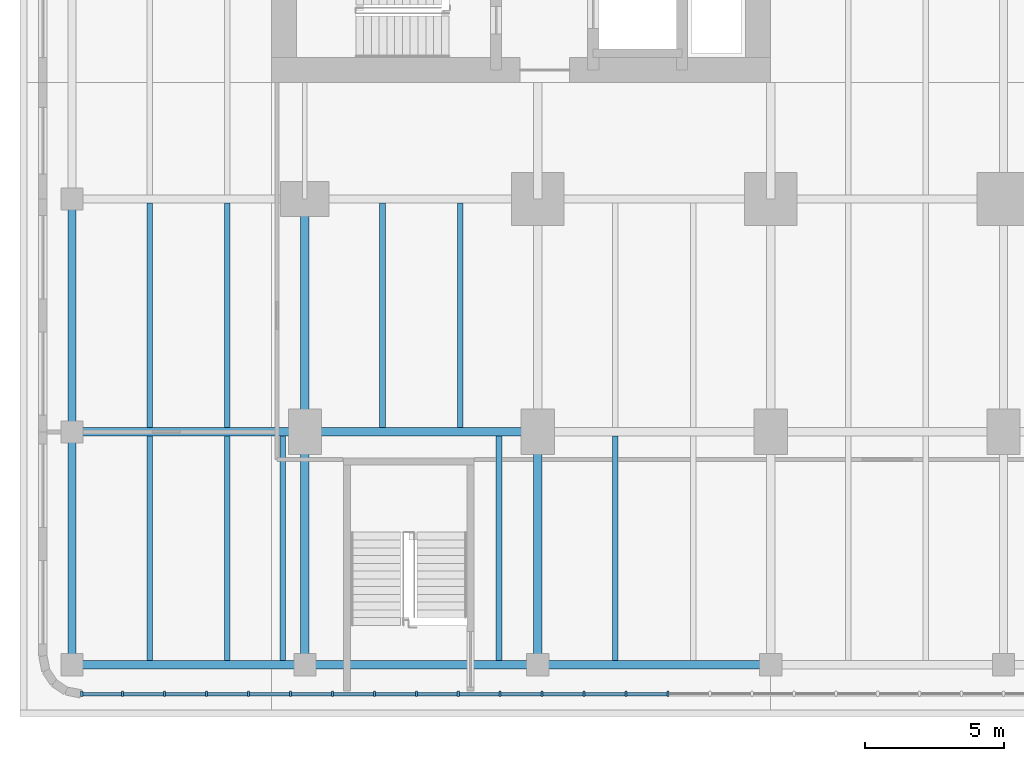
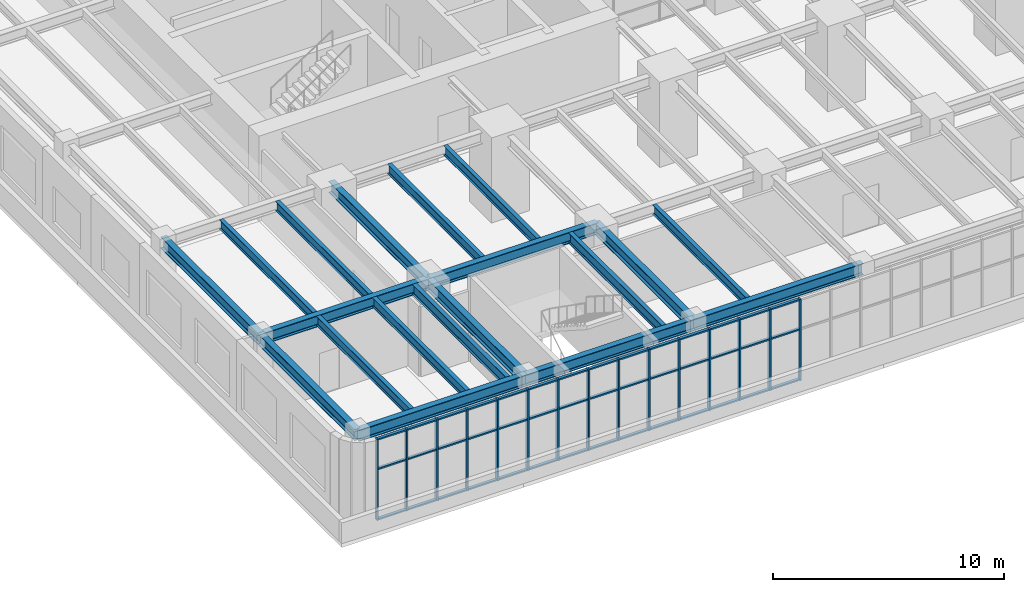
# One storey, part 2 of 30: 57 members, 19 beams, 1 element without a shape of its own.
"""IFC4 building model written with IfcOpenShell, lengths in metres."""

from ifc_helpers import new_model, si_unit, direction, frame, origin, origin_2d, place, context, subcontext, project, spatial, rectangle, i_section, extrude, material, material_profile, profile_set, type_object, element, aggregate, save


model = new_model("IFC4")

# Units and contexts
model_context = context("Model", 3, precision=1e-05, world=origin(), true_north=direction((0.0, 1.0)))
body_context = subcontext(model_context, "Body", "Model", "MODEL_VIEW")
ifc_project = project(units=[si_unit("LENGTHUNIT", "METRE"), si_unit("AREAUNIT", "SQUARE_METRE"), si_unit("VOLUMEUNIT", "CUBIC_METRE"), si_unit("PLANEANGLEUNIT", "RADIAN"), si_unit("MASSUNIT", "GRAM", prefix="KILO")], contexts=[model_context])

# Site, building, storey
site_placement = place(None, origin())
site = spatial("IfcSite", under=ifc_project, at=site_placement, CompositionType="ELEMENT")
building_placement = place(site_placement, origin())
building = spatial("IfcBuilding", under=site, at=building_placement, Name="Claustro Exchange Tower", CompositionType="ELEMENT")
storey_placement = place(building_placement, frame((0.0, 0.0, 5.39990234375)))
storey = spatial("IfcBuildingStorey", under=building, at=storey_placement, Name="L01", CompositionType="ELEMENT", Elevation=5.39990234375)

# Beams
ifc_material_1 = material(Name="Steel S355", Category="steel")
ifc_material_profile_1 = material_profile(ifc_material_1, i_section(OverallWidth=0.300048828125, OverallDepth=0.60009765625, WebThickness=0.015380859375, FlangeThickness=0.030029296875, FilletRadius=0.027099609375, at=origin_2d()), Name="HE 600 B")
ifc_profile_set_1 = profile_set([ifc_material_profile_1], Name="Steel S355")
beam_type_1 = type_object("IfcBeamType", Name="B1 HE 600 B floor girder", PredefinedType="BEAM", material=ifc_profile_set_1)
for number, where, z_axis, x_axis, name in (
    (1, (-8.39990234375, -8.39990234375, 4.0), (0.0, 1.0, 0.0), (-1.0, 0.0, 0.0), "Beam B1 L02"),
    (2, (-8.39990234375, 0.0, 4.0), (0.0, 1.0, 0.0), (-1.0, 0.0, 0.0), "Beam B1 L02"),
    (3, (0.0, -8.39990234375, 4.0), (0.0, 1.0, 0.0), (-1.0, 0.0, 0.0), "Beam B1 L02"),
    (4, (0.0, 0.0, 4.0), (0.0, 1.0, 0.0), (-1.0, 0.0, 0.0), "Beam B1 L02"),
    (5, (8.39990234375, -8.39990234375, 4.0), (0.0, 1.0, 0.0), (-1.0, 0.0, 0.0), "Beam B1 L02"),
    (6, (-8.39990234375, -8.39990234375, 4.0), (1.0, 0.0, 0.0), (0.0, 1.0, 0.0), "Beam B1 L02"),
    (7, (0.0, -8.39990234375, 4.0), (1.0, 0.0, 0.0), (0.0, 1.0, 0.0), "Beam B1 L02"),
):
    element("IfcBeam", number, at=place(storey_placement, frame(where, z_axis=z_axis, x_axis=x_axis)), inside=storey, type_object=beam_type_1, Name=name, PredefinedType="BEAM", context=body_context, shape_type="SweptSolid", body=[
        extrude(i_section(OverallWidth=0.300048828125, OverallDepth=0.60009765625, WebThickness=0.015380859375, FlangeThickness=0.030029296875, FilletRadius=0.027099609375, at=origin_2d()), origin(), (0.0, 0.0, 1.0), 8.39990234375),
    ])
beam_placement = place(storey_placement, frame((8.39990234375, -8.39990234375, 4.0), z_axis=(1.0, 0.0, 0.0), x_axis=(0.0, 1.0, 0.0)))
element("IfcBeam", 8, at=beam_placement, inside=storey, type_object=beam_type_1, Name="Beam B1 L02", PredefinedType="BEAM", context=body_context, shape_type="SweptSolid", body=[
    extrude(i_section(OverallWidth=0.300048828125, OverallDepth=0.60009765625, WebThickness=0.015380859375, FlangeThickness=0.030029296875, FilletRadius=0.027099609375, at=origin_2d()), origin(), (0.0, 0.0, 1.0), 8.400146484375),
])
for number, where, z_axis, x_axis, name in (
    (9, (-8.39990234375, 0.0, 4.0), (1.0, 0.0, 0.0), (0.0, 1.0, 0.0), "Beam B1 L02"),
    (10, (0.0, 0.0, 4.0), (1.0, 0.0, 0.0), (0.0, 1.0, 0.0), "Beam B1 L02"),
):
    element("IfcBeam", number, at=place(storey_placement, frame(where, z_axis=z_axis, x_axis=x_axis)), inside=storey, type_object=beam_type_1, Name=name, PredefinedType="BEAM", context=body_context, shape_type="SweptSolid", body=[
        extrude(i_section(OverallWidth=0.300048828125, OverallDepth=0.60009765625, WebThickness=0.015380859375, FlangeThickness=0.030029296875, FilletRadius=0.027099609375, at=origin_2d()), origin(), (0.0, 0.0, 1.0), 8.39990234375),
    ])
ifc_material_2 = material(Name="Steel S355", Category="steel")
ifc_material_profile_2 = material_profile(ifc_material_2, i_section(OverallWidth=0.199951171875, OverallDepth=0.5, WebThickness=0.01025390625, FlangeThickness=0.01611328125, FilletRadius=0.02099609375, at=origin_2d()), Name="IPE 500")
ifc_profile_set_2 = profile_set([ifc_material_profile_2], Name="Steel S355")
beam_type_2 = type_object("IfcBeamType", Name="B2 IPE 500 secondary beam", PredefinedType="BEAM", material=ifc_profile_set_2)
for number, where, z_axis, x_axis, name in (
    (11, (-5.60009765625, -8.25, 4.050048828125), (0.0, 1.0, 0.0), (-1.0, 0.0, 0.0), "Beam B2 L02"),
    (12, (-2.800048828125, -8.25, 4.050048828125), (0.0, 1.0, 0.0), (-1.0, 0.0, 0.0), "Beam B2 L02"),
    (13, (-5.60009765625, 0.14990234375, 4.050048828125), (0.0, 1.0, 0.0), (-1.0, 0.0, 0.0), "Beam B2 L02"),
    (14, (-2.800048828125, 0.14990234375, 4.050048828125), (0.0, 1.0, 0.0), (-1.0, 0.0, 0.0), "Beam B2 L02"),
    (15, (2.800048828125, 0.14990234375, 4.050048828125), (0.0, 1.0, 0.0), (-1.0, 0.0, 0.0), "Beam B2 L02"),
    (16, (5.60009765625, 0.14990234375, 4.050048828125), (0.0, 1.0, 0.0), (-1.0, 0.0, 0.0), "Beam B2 L02"),
    (17, (11.199951171875, -8.25, 4.050048828125), (0.0, 1.0, 0.0), (-1.0, 0.0, 0.0), "Beam B2 L02"),
):
    element("IfcBeam", number, at=place(storey_placement, frame(where, z_axis=z_axis, x_axis=x_axis)), inside=storey, type_object=beam_type_2, Name=name, PredefinedType="BEAM", context=body_context, shape_type="SweptSolid", body=[
        extrude(i_section(OverallWidth=0.199951171875, OverallDepth=0.5, WebThickness=0.01025390625, FlangeThickness=0.01611328125, FilletRadius=0.02099609375, at=origin_2d()), origin(), (0.0, 0.0, 1.0), 8.10009765625),
    ])
ifc_material_3 = material(Name="Steel S355", Category="steel")
ifc_material_profile_3 = material_profile(ifc_material_3, i_section(OverallWidth=0.2099609375, OverallDepth=0.550048828125, WebThickness=0.010986328125, FlangeThickness=0.01708984375, FilletRadius=0.02392578125, at=origin_2d()), Name="IPE 550")
ifc_profile_set_3 = profile_set([ifc_material_profile_3], Name="Steel S355")
beam_type_3 = type_object("IfcBeamType", Name="B28 IPE 550 podium stair trimmer", PredefinedType="BEAM", material=ifc_profile_set_3)
for number, where, z_axis, x_axis, name in (
    (18, (7.0, -8.25, 4.025146484375), (0.0, 1.0, 0.0), (-1.0, 0.0, 0.0), "Beam B28 trimmer STP1 L02"),
    (19, (-0.800048828125, -8.25, 4.025146484375), (0.0, 1.0, 0.0), (-1.0, 0.0, 0.0), "Beam B28 trimmer STP1 L02"),
):
    element("IfcBeam", number, at=place(storey_placement, frame(where, z_axis=z_axis, x_axis=x_axis)), inside=storey, type_object=beam_type_3, Name=name, PredefinedType="BEAM", context=body_context, shape_type="SweptSolid", body=[
        extrude(i_section(OverallWidth=0.2099609375, OverallDepth=0.550048828125, WebThickness=0.010986328125, FlangeThickness=0.01708984375, FilletRadius=0.02392578125, at=origin_2d()), origin(), (0.0, 0.0, 1.0), 8.10009765625),
    ])

# Curtain wall, members
ifc_material_4 = material(Name="Aluminium frame, clear double glazing", Category="aluminium")
curtain_wall_type = type_object("IfcCurtainWallType", Name="CW1 storefront curtain wall", PredefinedType="USERDEFINED", material=ifc_material_4)
curtain_wall_placement = place(storey_placement, origin())
curtain_wall = element("IfcCurtainWall", 20, at=curtain_wall_placement, inside=storey, type_object=curtain_wall_type, Name="Curtain wall CW1 L01", ObjectType="STICK CURTAIN WALL", PredefinedType="USERDEFINED")
ifc_material_5 = material(Name="Aluminium mullion", Category="aluminium")
ifc_material_profile_4 = material_profile(ifc_material_5, rectangle(XDim=0.199951171875, YDim=0.074951171875, at=origin_2d()), Name="CW1-M 75x200")
ifc_profile_set_4 = profile_set([ifc_material_profile_4], Name="Aluminium mullion")
member_type_1 = type_object("IfcMemberType", Name="CW1-M 75 x 200 mullion", PredefinedType="MULLION", material=ifc_profile_set_4)
member_1_placement = place(storey_placement, frame((-8.047607421875, -9.449951171875, 0.0), z_axis=(0.0, 0.0, 1.0), x_axis=(0.0, 1.0, 0.0)))
member_1 = element("IfcMember", 21, at=member_1_placement, type_object=member_type_1, Name="CW1 mullion 1", PredefinedType="MULLION", context=body_context, shape_type="SweptSolid", body=[
    extrude(rectangle(XDim=0.199951171875, YDim=0.074951171875, at=origin_2d()), origin(), (0.0, 0.0, 1.0), 4.300048828125),
])
member_2_placement = place(storey_placement, frame((-6.572265625, -9.449951171875, 0.0), z_axis=(0.0, 0.0, 1.0), x_axis=(0.0, 1.0, 0.0)))
member_2 = element("IfcMember", 22, at=member_2_placement, type_object=member_type_1, Name="CW1 mullion 2", PredefinedType="MULLION", context=body_context, shape_type="SweptSolid", body=[
    extrude(rectangle(XDim=0.199951171875, YDim=0.074951171875, at=origin_2d()), origin(), (0.0, 0.0, 1.0), 4.300048828125),
])
member_3_placement = place(storey_placement, frame((-5.059326171875, -9.449951171875, 0.0), z_axis=(0.0, 0.0, 1.0), x_axis=(0.0, 1.0, 0.0)))
member_3 = element("IfcMember", 23, at=member_3_placement, type_object=member_type_1, Name="CW1 mullion 3", PredefinedType="MULLION", context=body_context, shape_type="SweptSolid", body=[
    extrude(rectangle(XDim=0.199951171875, YDim=0.074951171875, at=origin_2d()), origin(), (0.0, 0.0, 1.0), 4.300048828125),
])
member_4_placement = place(storey_placement, frame((-3.54638671875, -9.449951171875, 0.0), z_axis=(0.0, 0.0, 1.0), x_axis=(0.0, 1.0, 0.0)))
member_4 = element("IfcMember", 24, at=member_4_placement, type_object=member_type_1, Name="CW1 mullion 4", PredefinedType="MULLION", context=body_context, shape_type="SweptSolid", body=[
    extrude(rectangle(XDim=0.199951171875, YDim=0.074951171875, at=origin_2d()), origin(), (0.0, 0.0, 1.0), 4.300048828125),
])
member_5_placement = place(storey_placement, frame((-2.033447265625, -9.449951171875, 0.0), z_axis=(0.0, 0.0, 1.0), x_axis=(0.0, 1.0, 0.0)))
member_5 = element("IfcMember", 25, at=member_5_placement, type_object=member_type_1, Name="CW1 mullion 5", PredefinedType="MULLION", context=body_context, shape_type="SweptSolid", body=[
    extrude(rectangle(XDim=0.199951171875, YDim=0.074951171875, at=origin_2d()), origin(), (0.0, 0.0, 1.0), 4.300048828125),
])
member_6_placement = place(storey_placement, frame((-0.520263671875, -9.449951171875, 0.0), z_axis=(0.0, 0.0, 1.0), x_axis=(0.0, 1.0, 0.0)))
member_6 = element("IfcMember", 26, at=member_6_placement, type_object=member_type_1, Name="CW1 mullion 6", PredefinedType="MULLION", context=body_context, shape_type="SweptSolid", body=[
    extrude(rectangle(XDim=0.199951171875, YDim=0.074951171875, at=origin_2d()), origin(), (0.0, 0.0, 1.0), 4.300048828125),
])
member_7_placement = place(storey_placement, frame((0.99267578125, -9.449951171875, 0.0), z_axis=(0.0, 0.0, 1.0), x_axis=(0.0, 1.0, 0.0)))
member_7 = element("IfcMember", 27, at=member_7_placement, type_object=member_type_1, Name="CW1 mullion 7", PredefinedType="MULLION", context=body_context, shape_type="SweptSolid", body=[
    extrude(rectangle(XDim=0.199951171875, YDim=0.074951171875, at=origin_2d()), origin(), (0.0, 0.0, 1.0), 4.300048828125),
])
member_8_placement = place(storey_placement, frame((2.505615234375, -9.449951171875, 0.0), z_axis=(0.0, 0.0, 1.0), x_axis=(0.0, 1.0, 0.0)))
member_8 = element("IfcMember", 28, at=member_8_placement, type_object=member_type_1, Name="CW1 mullion 8", PredefinedType="MULLION", context=body_context, shape_type="SweptSolid", body=[
    extrude(rectangle(XDim=0.199951171875, YDim=0.074951171875, at=origin_2d()), origin(), (0.0, 0.0, 1.0), 4.300048828125),
])
member_9_placement = place(storey_placement, frame((4.0185546875, -9.449951171875, 0.0), z_axis=(0.0, 0.0, 1.0), x_axis=(0.0, 1.0, 0.0)))
member_9 = element("IfcMember", 29, at=member_9_placement, type_object=member_type_1, Name="CW1 mullion 9", PredefinedType="MULLION", context=body_context, shape_type="SweptSolid", body=[
    extrude(rectangle(XDim=0.199951171875, YDim=0.074951171875, at=origin_2d()), origin(), (0.0, 0.0, 1.0), 4.300048828125),
])
member_10_placement = place(storey_placement, frame((5.531494140625, -9.449951171875, 0.0), z_axis=(0.0, 0.0, 1.0), x_axis=(0.0, 1.0, 0.0)))
member_10 = element("IfcMember", 30, at=member_10_placement, type_object=member_type_1, Name="CW1 mullion 10", PredefinedType="MULLION", context=body_context, shape_type="SweptSolid", body=[
    extrude(rectangle(XDim=0.199951171875, YDim=0.074951171875, at=origin_2d()), origin(), (0.0, 0.0, 1.0), 4.300048828125),
])
member_11_placement = place(storey_placement, frame((7.04443359375, -9.449951171875, 0.0), z_axis=(0.0, 0.0, 1.0), x_axis=(0.0, 1.0, 0.0)))
member_11 = element("IfcMember", 31, at=member_11_placement, type_object=member_type_1, Name="CW1 mullion 11", PredefinedType="MULLION", context=body_context, shape_type="SweptSolid", body=[
    extrude(rectangle(XDim=0.199951171875, YDim=0.074951171875, at=origin_2d()), origin(), (0.0, 0.0, 1.0), 4.300048828125),
])
member_12_placement = place(storey_placement, frame((8.557373046875, -9.449951171875, 0.0), z_axis=(0.0, 0.0, 1.0), x_axis=(0.0, 1.0, 0.0)))
member_12 = element("IfcMember", 32, at=member_12_placement, type_object=member_type_1, Name="CW1 mullion 12", PredefinedType="MULLION", context=body_context, shape_type="SweptSolid", body=[
    extrude(rectangle(XDim=0.199951171875, YDim=0.074951171875, at=origin_2d()), origin(), (0.0, 0.0, 1.0), 4.300048828125),
])
member_13_placement = place(storey_placement, frame((10.0703125, -9.449951171875, 0.0), z_axis=(0.0, 0.0, 1.0), x_axis=(0.0, 1.0, 0.0)))
member_13 = element("IfcMember", 33, at=member_13_placement, type_object=member_type_1, Name="CW1 mullion 13", PredefinedType="MULLION", context=body_context, shape_type="SweptSolid", body=[
    extrude(rectangle(XDim=0.199951171875, YDim=0.074951171875, at=origin_2d()), origin(), (0.0, 0.0, 1.0), 4.300048828125),
])
member_14_placement = place(storey_placement, frame((11.583251953125, -9.449951171875, 0.0), z_axis=(0.0, 0.0, 1.0), x_axis=(0.0, 1.0, 0.0)))
member_14 = element("IfcMember", 34, at=member_14_placement, type_object=member_type_1, Name="CW1 mullion 14", PredefinedType="MULLION", context=body_context, shape_type="SweptSolid", body=[
    extrude(rectangle(XDim=0.199951171875, YDim=0.074951171875, at=origin_2d()), origin(), (0.0, 0.0, 1.0), 4.300048828125),
])
member_15_placement = place(storey_placement, frame((13.09619140625, -9.449951171875, 0.0), z_axis=(0.0, 0.0, 1.0), x_axis=(0.0, 1.0, 0.0)))
member_15 = element("IfcMember", 35, at=member_15_placement, type_object=member_type_1, Name="CW1 mullion 15", PredefinedType="MULLION", context=body_context, shape_type="SweptSolid", body=[
    extrude(rectangle(XDim=0.199951171875, YDim=0.074951171875, at=origin_2d()), origin(), (0.0, 0.0, 1.0), 4.300048828125),
])
ifc_material_6 = material(Name="Aluminium transom", Category="aluminium")
ifc_material_profile_5 = material_profile(ifc_material_6, rectangle(XDim=0.14990234375, YDim=0.074951171875, at=origin_2d()), Name="CW1-T 75x150")
ifc_profile_set_5 = profile_set([ifc_material_profile_5], Name="Aluminium transom")
member_type_2 = type_object("IfcMemberType", Name="CW1-T 75 x 150 transom", PredefinedType="USERDEFINED", material=ifc_profile_set_5)
member_16_placement = place(storey_placement, frame((-8.01025390625, -9.449951171875, 0.03759765625), z_axis=(1.0, 0.0, 0.0), x_axis=(0.0, 1.0, 0.0)))
member_16 = element("IfcMember", 36, at=member_16_placement, type_object=member_type_2, Name="CW1 transom 1.1", ObjectType="TRANSOM", PredefinedType="USERDEFINED", context=body_context, shape_type="SweptSolid", body=[
    extrude(rectangle(XDim=0.14990234375, YDim=0.074951171875, at=origin_2d()), origin(), (0.0, 0.0, 1.0), 1.400634765625),
])
member_17_placement = place(storey_placement, frame((-8.01025390625, -9.449951171875, 2.7001953125), z_axis=(1.0, 0.0, 0.0), x_axis=(0.0, 1.0, 0.0)))
member_17 = element("IfcMember", 37, at=member_17_placement, type_object=member_type_2, Name="CW1 transom 1.2", ObjectType="TRANSOM", PredefinedType="USERDEFINED", context=body_context, shape_type="SweptSolid", body=[
    extrude(rectangle(XDim=0.14990234375, YDim=0.074951171875, at=origin_2d()), origin(), (0.0, 0.0, 1.0), 1.400634765625),
])
member_18_placement = place(storey_placement, frame((-8.01025390625, -9.449951171875, 4.2626953125), z_axis=(1.0, 0.0, 0.0), x_axis=(0.0, 1.0, 0.0)))
member_18 = element("IfcMember", 38, at=member_18_placement, type_object=member_type_2, Name="CW1 transom 1.3", ObjectType="TRANSOM", PredefinedType="USERDEFINED", context=body_context, shape_type="SweptSolid", body=[
    extrude(rectangle(XDim=0.14990234375, YDim=0.074951171875, at=origin_2d()), origin(), (0.0, 0.0, 1.0), 1.400634765625),
])
member_19_placement = place(storey_placement, frame((-6.53466796875, -9.449951171875, 0.03759765625), z_axis=(1.0, 0.0, 0.0), x_axis=(0.0, 1.0, 0.0)))
member_19 = element("IfcMember", 39, at=member_19_placement, type_object=member_type_2, Name="CW1 transom 2.1", ObjectType="TRANSOM", PredefinedType="USERDEFINED", context=body_context, shape_type="SweptSolid", body=[
    extrude(rectangle(XDim=0.14990234375, YDim=0.074951171875, at=origin_2d()), origin(), (0.0, 0.0, 1.0), 1.43798828125),
])
member_20_placement = place(storey_placement, frame((-6.53466796875, -9.449951171875, 2.7001953125), z_axis=(1.0, 0.0, 0.0), x_axis=(0.0, 1.0, 0.0)))
member_20 = element("IfcMember", 40, at=member_20_placement, type_object=member_type_2, Name="CW1 transom 2.2", ObjectType="TRANSOM", PredefinedType="USERDEFINED", context=body_context, shape_type="SweptSolid", body=[
    extrude(rectangle(XDim=0.14990234375, YDim=0.074951171875, at=origin_2d()), origin(), (0.0, 0.0, 1.0), 1.43798828125),
])
member_21_placement = place(storey_placement, frame((-6.53466796875, -9.449951171875, 4.2626953125), z_axis=(1.0, 0.0, 0.0), x_axis=(0.0, 1.0, 0.0)))
member_21 = element("IfcMember", 41, at=member_21_placement, type_object=member_type_2, Name="CW1 transom 2.3", ObjectType="TRANSOM", PredefinedType="USERDEFINED", context=body_context, shape_type="SweptSolid", body=[
    extrude(rectangle(XDim=0.14990234375, YDim=0.074951171875, at=origin_2d()), origin(), (0.0, 0.0, 1.0), 1.43798828125),
])
member_22_placement = place(storey_placement, frame((-5.021728515625, -9.449951171875, 0.03759765625), z_axis=(1.0, 0.0, 0.0), x_axis=(0.0, 1.0, 0.0)))
member_22 = element("IfcMember", 42, at=member_22_placement, type_object=member_type_2, Name="CW1 transom 3.1", ObjectType="TRANSOM", PredefinedType="USERDEFINED", context=body_context, shape_type="SweptSolid", body=[
    extrude(rectangle(XDim=0.14990234375, YDim=0.074951171875, at=origin_2d()), origin(), (0.0, 0.0, 1.0), 1.43798828125),
])
member_23_placement = place(storey_placement, frame((-5.021728515625, -9.449951171875, 2.7001953125), z_axis=(1.0, 0.0, 0.0), x_axis=(0.0, 1.0, 0.0)))
member_23 = element("IfcMember", 43, at=member_23_placement, type_object=member_type_2, Name="CW1 transom 3.2", ObjectType="TRANSOM", PredefinedType="USERDEFINED", context=body_context, shape_type="SweptSolid", body=[
    extrude(rectangle(XDim=0.14990234375, YDim=0.074951171875, at=origin_2d()), origin(), (0.0, 0.0, 1.0), 1.43798828125),
])
member_24_placement = place(storey_placement, frame((-5.021728515625, -9.449951171875, 4.2626953125), z_axis=(1.0, 0.0, 0.0), x_axis=(0.0, 1.0, 0.0)))
member_24 = element("IfcMember", 44, at=member_24_placement, type_object=member_type_2, Name="CW1 transom 3.3", ObjectType="TRANSOM", PredefinedType="USERDEFINED", context=body_context, shape_type="SweptSolid", body=[
    extrude(rectangle(XDim=0.14990234375, YDim=0.074951171875, at=origin_2d()), origin(), (0.0, 0.0, 1.0), 1.43798828125),
])
member_25_placement = place(storey_placement, frame((-3.5087890625, -9.449951171875, 0.03759765625), z_axis=(1.0, 0.0, 0.0), x_axis=(0.0, 1.0, 0.0)))
member_25 = element("IfcMember", 45, at=member_25_placement, type_object=member_type_2, Name="CW1 transom 4.1", ObjectType="TRANSOM", PredefinedType="USERDEFINED", context=body_context, shape_type="SweptSolid", body=[
    extrude(rectangle(XDim=0.14990234375, YDim=0.074951171875, at=origin_2d()), origin(), (0.0, 0.0, 1.0), 1.43798828125),
])
member_26_placement = place(storey_placement, frame((-3.5087890625, -9.449951171875, 2.7001953125), z_axis=(1.0, 0.0, 0.0), x_axis=(0.0, 1.0, 0.0)))
member_26 = element("IfcMember", 46, at=member_26_placement, type_object=member_type_2, Name="CW1 transom 4.2", ObjectType="TRANSOM", PredefinedType="USERDEFINED", context=body_context, shape_type="SweptSolid", body=[
    extrude(rectangle(XDim=0.14990234375, YDim=0.074951171875, at=origin_2d()), origin(), (0.0, 0.0, 1.0), 1.43798828125),
])
member_27_placement = place(storey_placement, frame((-3.5087890625, -9.449951171875, 4.2626953125), z_axis=(1.0, 0.0, 0.0), x_axis=(0.0, 1.0, 0.0)))
member_27 = element("IfcMember", 47, at=member_27_placement, type_object=member_type_2, Name="CW1 transom 4.3", ObjectType="TRANSOM", PredefinedType="USERDEFINED", context=body_context, shape_type="SweptSolid", body=[
    extrude(rectangle(XDim=0.14990234375, YDim=0.074951171875, at=origin_2d()), origin(), (0.0, 0.0, 1.0), 1.43798828125),
])
member_28_placement = place(storey_placement, frame((-1.995849609375, -9.449951171875, 0.03759765625), z_axis=(1.0, 0.0, 0.0), x_axis=(0.0, 1.0, 0.0)))
member_28 = element("IfcMember", 48, at=member_28_placement, type_object=member_type_2, Name="CW1 transom 5.1", ObjectType="TRANSOM", PredefinedType="USERDEFINED", context=body_context, shape_type="SweptSolid", body=[
    extrude(rectangle(XDim=0.14990234375, YDim=0.074951171875, at=origin_2d()), origin(), (0.0, 0.0, 1.0), 1.43798828125),
])
member_29_placement = place(storey_placement, frame((-1.995849609375, -9.449951171875, 2.7001953125), z_axis=(1.0, 0.0, 0.0), x_axis=(0.0, 1.0, 0.0)))
member_29 = element("IfcMember", 49, at=member_29_placement, type_object=member_type_2, Name="CW1 transom 5.2", ObjectType="TRANSOM", PredefinedType="USERDEFINED", context=body_context, shape_type="SweptSolid", body=[
    extrude(rectangle(XDim=0.14990234375, YDim=0.074951171875, at=origin_2d()), origin(), (0.0, 0.0, 1.0), 1.43798828125),
])
member_30_placement = place(storey_placement, frame((-1.995849609375, -9.449951171875, 4.2626953125), z_axis=(1.0, 0.0, 0.0), x_axis=(0.0, 1.0, 0.0)))
member_30 = element("IfcMember", 50, at=member_30_placement, type_object=member_type_2, Name="CW1 transom 5.3", ObjectType="TRANSOM", PredefinedType="USERDEFINED", context=body_context, shape_type="SweptSolid", body=[
    extrude(rectangle(XDim=0.14990234375, YDim=0.074951171875, at=origin_2d()), origin(), (0.0, 0.0, 1.0), 1.43798828125),
])
member_31_placement = place(storey_placement, frame((-0.48291015625, -9.449951171875, 0.03759765625), z_axis=(1.0, 0.0, 0.0), x_axis=(0.0, 1.0, 0.0)))
member_31 = element("IfcMember", 51, at=member_31_placement, type_object=member_type_2, Name="CW1 transom 6.1", ObjectType="TRANSOM", PredefinedType="USERDEFINED", context=body_context, shape_type="SweptSolid", body=[
    extrude(rectangle(XDim=0.14990234375, YDim=0.074951171875, at=origin_2d()), origin(), (0.0, 0.0, 1.0), 1.43798828125),
])
member_32_placement = place(storey_placement, frame((-0.48291015625, -9.449951171875, 2.7001953125), z_axis=(1.0, 0.0, 0.0), x_axis=(0.0, 1.0, 0.0)))
member_32 = element("IfcMember", 52, at=member_32_placement, type_object=member_type_2, Name="CW1 transom 6.2", ObjectType="TRANSOM", PredefinedType="USERDEFINED", context=body_context, shape_type="SweptSolid", body=[
    extrude(rectangle(XDim=0.14990234375, YDim=0.074951171875, at=origin_2d()), origin(), (0.0, 0.0, 1.0), 1.43798828125),
])
member_33_placement = place(storey_placement, frame((-0.48291015625, -9.449951171875, 4.2626953125), z_axis=(1.0, 0.0, 0.0), x_axis=(0.0, 1.0, 0.0)))
member_33 = element("IfcMember", 53, at=member_33_placement, type_object=member_type_2, Name="CW1 transom 6.3", ObjectType="TRANSOM", PredefinedType="USERDEFINED", context=body_context, shape_type="SweptSolid", body=[
    extrude(rectangle(XDim=0.14990234375, YDim=0.074951171875, at=origin_2d()), origin(), (0.0, 0.0, 1.0), 1.43798828125),
])
member_34_placement = place(storey_placement, frame((1.030029296875, -9.449951171875, 0.03759765625), z_axis=(1.0, 0.0, 0.0), x_axis=(0.0, 1.0, 0.0)))
member_34 = element("IfcMember", 54, at=member_34_placement, type_object=member_type_2, Name="CW1 transom 7.1", ObjectType="TRANSOM", PredefinedType="USERDEFINED", context=body_context, shape_type="SweptSolid", body=[
    extrude(rectangle(XDim=0.14990234375, YDim=0.074951171875, at=origin_2d()), origin(), (0.0, 0.0, 1.0), 1.43798828125),
])
member_35_placement = place(storey_placement, frame((1.030029296875, -9.449951171875, 2.7001953125), z_axis=(1.0, 0.0, 0.0), x_axis=(0.0, 1.0, 0.0)))
member_35 = element("IfcMember", 55, at=member_35_placement, type_object=member_type_2, Name="CW1 transom 7.2", ObjectType="TRANSOM", PredefinedType="USERDEFINED", context=body_context, shape_type="SweptSolid", body=[
    extrude(rectangle(XDim=0.14990234375, YDim=0.074951171875, at=origin_2d()), origin(), (0.0, 0.0, 1.0), 1.43798828125),
])
member_36_placement = place(storey_placement, frame((1.030029296875, -9.449951171875, 4.2626953125), z_axis=(1.0, 0.0, 0.0), x_axis=(0.0, 1.0, 0.0)))
member_36 = element("IfcMember", 56, at=member_36_placement, type_object=member_type_2, Name="CW1 transom 7.3", ObjectType="TRANSOM", PredefinedType="USERDEFINED", context=body_context, shape_type="SweptSolid", body=[
    extrude(rectangle(XDim=0.14990234375, YDim=0.074951171875, at=origin_2d()), origin(), (0.0, 0.0, 1.0), 1.43798828125),
])
member_37_placement = place(storey_placement, frame((2.54296875, -9.449951171875, 0.03759765625), z_axis=(1.0, 0.0, 0.0), x_axis=(0.0, 1.0, 0.0)))
member_37 = element("IfcMember", 57, at=member_37_placement, type_object=member_type_2, Name="CW1 transom 8.1", ObjectType="TRANSOM", PredefinedType="USERDEFINED", context=body_context, shape_type="SweptSolid", body=[
    extrude(rectangle(XDim=0.14990234375, YDim=0.074951171875, at=origin_2d()), origin(), (0.0, 0.0, 1.0), 1.43798828125),
])
member_38_placement = place(storey_placement, frame((2.54296875, -9.449951171875, 2.7001953125), z_axis=(1.0, 0.0, 0.0), x_axis=(0.0, 1.0, 0.0)))
member_38 = element("IfcMember", 58, at=member_38_placement, type_object=member_type_2, Name="CW1 transom 8.2", ObjectType="TRANSOM", PredefinedType="USERDEFINED", context=body_context, shape_type="SweptSolid", body=[
    extrude(rectangle(XDim=0.14990234375, YDim=0.074951171875, at=origin_2d()), origin(), (0.0, 0.0, 1.0), 1.43798828125),
])
member_39_placement = place(storey_placement, frame((2.54296875, -9.449951171875, 4.2626953125), z_axis=(1.0, 0.0, 0.0), x_axis=(0.0, 1.0, 0.0)))
member_39 = element("IfcMember", 59, at=member_39_placement, type_object=member_type_2, Name="CW1 transom 8.3", ObjectType="TRANSOM", PredefinedType="USERDEFINED", context=body_context, shape_type="SweptSolid", body=[
    extrude(rectangle(XDim=0.14990234375, YDim=0.074951171875, at=origin_2d()), origin(), (0.0, 0.0, 1.0), 1.43798828125),
])
member_40_placement = place(storey_placement, frame((4.055908203125, -9.449951171875, 0.03759765625), z_axis=(1.0, 0.0, 0.0), x_axis=(0.0, 1.0, 0.0)))
member_40 = element("IfcMember", 60, at=member_40_placement, type_object=member_type_2, Name="CW1 transom 9.1", ObjectType="TRANSOM", PredefinedType="USERDEFINED", context=body_context, shape_type="SweptSolid", body=[
    extrude(rectangle(XDim=0.14990234375, YDim=0.074951171875, at=origin_2d()), origin(), (0.0, 0.0, 1.0), 1.43798828125),
])
member_41_placement = place(storey_placement, frame((4.055908203125, -9.449951171875, 2.7001953125), z_axis=(1.0, 0.0, 0.0), x_axis=(0.0, 1.0, 0.0)))
member_41 = element("IfcMember", 61, at=member_41_placement, type_object=member_type_2, Name="CW1 transom 9.2", ObjectType="TRANSOM", PredefinedType="USERDEFINED", context=body_context, shape_type="SweptSolid", body=[
    extrude(rectangle(XDim=0.14990234375, YDim=0.074951171875, at=origin_2d()), origin(), (0.0, 0.0, 1.0), 1.43798828125),
])
member_42_placement = place(storey_placement, frame((4.055908203125, -9.449951171875, 4.2626953125), z_axis=(1.0, 0.0, 0.0), x_axis=(0.0, 1.0, 0.0)))
member_42 = element("IfcMember", 62, at=member_42_placement, type_object=member_type_2, Name="CW1 transom 9.3", ObjectType="TRANSOM", PredefinedType="USERDEFINED", context=body_context, shape_type="SweptSolid", body=[
    extrude(rectangle(XDim=0.14990234375, YDim=0.074951171875, at=origin_2d()), origin(), (0.0, 0.0, 1.0), 1.43798828125),
])
member_43_placement = place(storey_placement, frame((5.569091796875, -9.449951171875, 0.03759765625), z_axis=(1.0, 0.0, 0.0), x_axis=(0.0, 1.0, 0.0)))
member_43 = element("IfcMember", 63, at=member_43_placement, type_object=member_type_2, Name="CW1 transom 10.1", ObjectType="TRANSOM", PredefinedType="USERDEFINED", context=body_context, shape_type="SweptSolid", body=[
    extrude(rectangle(XDim=0.14990234375, YDim=0.074951171875, at=origin_2d()), origin(), (0.0, 0.0, 1.0), 1.437744140625),
])
member_44_placement = place(storey_placement, frame((5.569091796875, -9.449951171875, 2.7001953125), z_axis=(1.0, 0.0, 0.0), x_axis=(0.0, 1.0, 0.0)))
member_44 = element("IfcMember", 64, at=member_44_placement, type_object=member_type_2, Name="CW1 transom 10.2", ObjectType="TRANSOM", PredefinedType="USERDEFINED", context=body_context, shape_type="SweptSolid", body=[
    extrude(rectangle(XDim=0.14990234375, YDim=0.074951171875, at=origin_2d()), origin(), (0.0, 0.0, 1.0), 1.437744140625),
])
member_45_placement = place(storey_placement, frame((5.569091796875, -9.449951171875, 4.2626953125), z_axis=(1.0, 0.0, 0.0), x_axis=(0.0, 1.0, 0.0)))
member_45 = element("IfcMember", 65, at=member_45_placement, type_object=member_type_2, Name="CW1 transom 10.3", ObjectType="TRANSOM", PredefinedType="USERDEFINED", context=body_context, shape_type="SweptSolid", body=[
    extrude(rectangle(XDim=0.14990234375, YDim=0.074951171875, at=origin_2d()), origin(), (0.0, 0.0, 1.0), 1.437744140625),
])
member_46_placement = place(storey_placement, frame((7.08203125, -9.449951171875, 0.03759765625), z_axis=(1.0, 0.0, 0.0), x_axis=(0.0, 1.0, 0.0)))
member_46 = element("IfcMember", 66, at=member_46_placement, type_object=member_type_2, Name="CW1 transom 11.1", ObjectType="TRANSOM", PredefinedType="USERDEFINED", context=body_context, shape_type="SweptSolid", body=[
    extrude(rectangle(XDim=0.14990234375, YDim=0.074951171875, at=origin_2d()), origin(), (0.0, 0.0, 1.0), 1.43798828125),
])
member_47_placement = place(storey_placement, frame((7.08203125, -9.449951171875, 2.7001953125), z_axis=(1.0, 0.0, 0.0), x_axis=(0.0, 1.0, 0.0)))
member_47 = element("IfcMember", 67, at=member_47_placement, type_object=member_type_2, Name="CW1 transom 11.2", ObjectType="TRANSOM", PredefinedType="USERDEFINED", context=body_context, shape_type="SweptSolid", body=[
    extrude(rectangle(XDim=0.14990234375, YDim=0.074951171875, at=origin_2d()), origin(), (0.0, 0.0, 1.0), 1.43798828125),
])
member_48_placement = place(storey_placement, frame((7.08203125, -9.449951171875, 4.2626953125), z_axis=(1.0, 0.0, 0.0), x_axis=(0.0, 1.0, 0.0)))
member_48 = element("IfcMember", 68, at=member_48_placement, type_object=member_type_2, Name="CW1 transom 11.3", ObjectType="TRANSOM", PredefinedType="USERDEFINED", context=body_context, shape_type="SweptSolid", body=[
    extrude(rectangle(XDim=0.14990234375, YDim=0.074951171875, at=origin_2d()), origin(), (0.0, 0.0, 1.0), 1.43798828125),
])
member_49_placement = place(storey_placement, frame((8.594970703125, -9.449951171875, 0.03759765625), z_axis=(1.0, 0.0, 0.0), x_axis=(0.0, 1.0, 0.0)))
member_49 = element("IfcMember", 69, at=member_49_placement, type_object=member_type_2, Name="CW1 transom 12.1", ObjectType="TRANSOM", PredefinedType="USERDEFINED", context=body_context, shape_type="SweptSolid", body=[
    extrude(rectangle(XDim=0.14990234375, YDim=0.074951171875, at=origin_2d()), origin(), (0.0, 0.0, 1.0), 1.43798828125),
])
member_50_placement = place(storey_placement, frame((8.594970703125, -9.449951171875, 2.7001953125), z_axis=(1.0, 0.0, 0.0), x_axis=(0.0, 1.0, 0.0)))
member_50 = element("IfcMember", 70, at=member_50_placement, type_object=member_type_2, Name="CW1 transom 12.2", ObjectType="TRANSOM", PredefinedType="USERDEFINED", context=body_context, shape_type="SweptSolid", body=[
    extrude(rectangle(XDim=0.14990234375, YDim=0.074951171875, at=origin_2d()), origin(), (0.0, 0.0, 1.0), 1.43798828125),
])
member_51_placement = place(storey_placement, frame((8.594970703125, -9.449951171875, 4.2626953125), z_axis=(1.0, 0.0, 0.0), x_axis=(0.0, 1.0, 0.0)))
member_51 = element("IfcMember", 71, at=member_51_placement, type_object=member_type_2, Name="CW1 transom 12.3", ObjectType="TRANSOM", PredefinedType="USERDEFINED", context=body_context, shape_type="SweptSolid", body=[
    extrude(rectangle(XDim=0.14990234375, YDim=0.074951171875, at=origin_2d()), origin(), (0.0, 0.0, 1.0), 1.43798828125),
])
member_52_placement = place(storey_placement, frame((10.10791015625, -9.449951171875, 0.03759765625), z_axis=(1.0, 0.0, 0.0), x_axis=(0.0, 1.0, 0.0)))
member_52 = element("IfcMember", 72, at=member_52_placement, type_object=member_type_2, Name="CW1 transom 13.1", ObjectType="TRANSOM", PredefinedType="USERDEFINED", context=body_context, shape_type="SweptSolid", body=[
    extrude(rectangle(XDim=0.14990234375, YDim=0.074951171875, at=origin_2d()), origin(), (0.0, 0.0, 1.0), 1.43798828125),
])
member_53_placement = place(storey_placement, frame((10.10791015625, -9.449951171875, 2.7001953125), z_axis=(1.0, 0.0, 0.0), x_axis=(0.0, 1.0, 0.0)))
member_53 = element("IfcMember", 73, at=member_53_placement, type_object=member_type_2, Name="CW1 transom 13.2", ObjectType="TRANSOM", PredefinedType="USERDEFINED", context=body_context, shape_type="SweptSolid", body=[
    extrude(rectangle(XDim=0.14990234375, YDim=0.074951171875, at=origin_2d()), origin(), (0.0, 0.0, 1.0), 1.43798828125),
])
member_54_placement = place(storey_placement, frame((10.10791015625, -9.449951171875, 4.2626953125), z_axis=(1.0, 0.0, 0.0), x_axis=(0.0, 1.0, 0.0)))
member_54 = element("IfcMember", 74, at=member_54_placement, type_object=member_type_2, Name="CW1 transom 13.3", ObjectType="TRANSOM", PredefinedType="USERDEFINED", context=body_context, shape_type="SweptSolid", body=[
    extrude(rectangle(XDim=0.14990234375, YDim=0.074951171875, at=origin_2d()), origin(), (0.0, 0.0, 1.0), 1.43798828125),
])
member_55_placement = place(storey_placement, frame((11.620849609375, -9.449951171875, 0.03759765625), z_axis=(1.0, 0.0, 0.0), x_axis=(0.0, 1.0, 0.0)))
member_55 = element("IfcMember", 75, at=member_55_placement, type_object=member_type_2, Name="CW1 transom 14.1", ObjectType="TRANSOM", PredefinedType="USERDEFINED", context=body_context, shape_type="SweptSolid", body=[
    extrude(rectangle(XDim=0.14990234375, YDim=0.074951171875, at=origin_2d()), origin(), (0.0, 0.0, 1.0), 1.43798828125),
])
member_56_placement = place(storey_placement, frame((11.620849609375, -9.449951171875, 2.7001953125), z_axis=(1.0, 0.0, 0.0), x_axis=(0.0, 1.0, 0.0)))
member_56 = element("IfcMember", 76, at=member_56_placement, type_object=member_type_2, Name="CW1 transom 14.2", ObjectType="TRANSOM", PredefinedType="USERDEFINED", context=body_context, shape_type="SweptSolid", body=[
    extrude(rectangle(XDim=0.14990234375, YDim=0.074951171875, at=origin_2d()), origin(), (0.0, 0.0, 1.0), 1.43798828125),
])
member_57_placement = place(storey_placement, frame((11.620849609375, -9.449951171875, 4.2626953125), z_axis=(1.0, 0.0, 0.0), x_axis=(0.0, 1.0, 0.0)))
member_57 = element("IfcMember", 77, at=member_57_placement, type_object=member_type_2, Name="CW1 transom 14.3", ObjectType="TRANSOM", PredefinedType="USERDEFINED", context=body_context, shape_type="SweptSolid", body=[
    extrude(rectangle(XDim=0.14990234375, YDim=0.074951171875, at=origin_2d()), origin(), (0.0, 0.0, 1.0), 1.43798828125),
])
aggregate(curtain_wall, [member_1, member_2, member_3, member_4, member_5, member_6, member_7, member_8, member_9, member_10, member_11, member_12, member_13, member_14, member_15, member_16, member_17, member_18, member_19, member_20, member_21, member_22, member_23, member_24, member_25, member_26, member_27, member_28, member_29, member_30, member_31, member_32, member_33, member_34, member_35, member_36, member_37, member_38, member_39, member_40, member_41, member_42, member_43, member_44, member_45, member_46, member_47, member_48, member_49, member_50, member_51, member_52, member_53, member_54, member_55, member_56, member_57])

save(model, "model.ifc")
